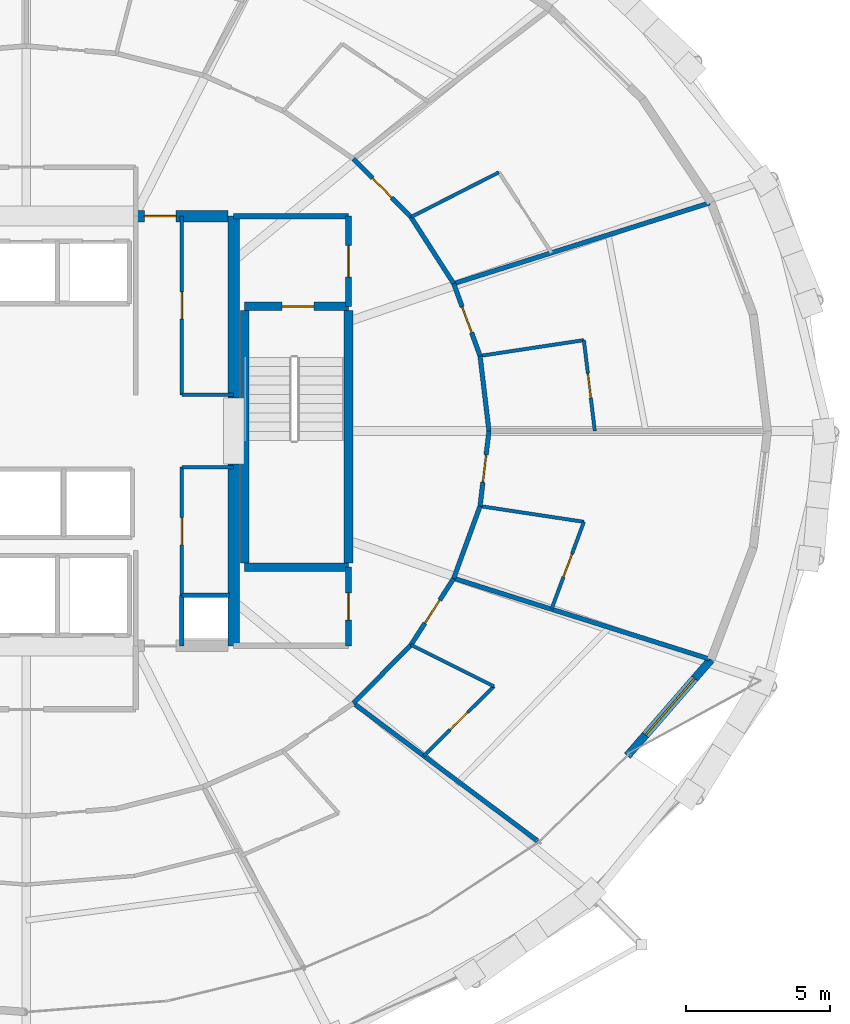
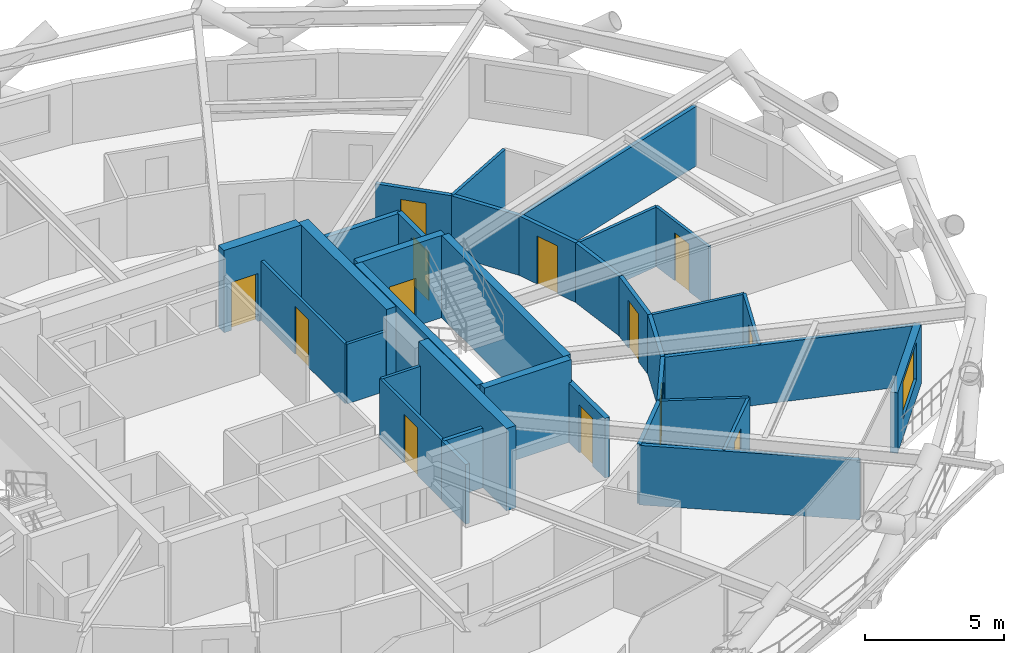
# One storey, part 15 of 19: 35 walls, 13 doors, 1 window, 14 openings.
"""IFC4 building model written with IfcOpenShell, lengths in metres."""

from ifc_helpers import new_model, si_unit, direction, frame, frame_2d, origin, place, context, subcontext, project, spatial, rectangle, extrude, material, layer, layer_set, type_object, element, fill, save


model = new_model("IFC4")

# Units and contexts
model_context = context("Model", 3, precision=1e-05, world=origin(), true_north=direction((0.0, 1.0)))
body_context = subcontext(model_context, "Body", "Model", "MODEL_VIEW")
ifc_project = project(units=[si_unit("LENGTHUNIT", "METRE"), si_unit("AREAUNIT", "SQUARE_METRE"), si_unit("VOLUMEUNIT", "CUBIC_METRE"), si_unit("PLANEANGLEUNIT", "RADIAN"), si_unit("MASSUNIT", "GRAM", prefix="KILO")], contexts=[model_context])

# Site, building, storey
site_placement = place(None, origin())
site = spatial("IfcSite", under=ifc_project, at=site_placement, CompositionType="ELEMENT")
building_placement = place(site_placement, origin())
building = spatial("IfcBuilding", under=site, at=building_placement, Name="Veldorina Hangang Commons", CompositionType="ELEMENT")
storey_placement = place(building_placement, frame((0.0, 0.0, 34.0)))
storey = spatial("IfcBuildingStorey", under=building, at=storey_placement, Name="L07", CompositionType="ELEMENT", Elevation=34.0)

# Walls
ifc_material_1 = material(Name="Concrete C70/85", Category="concrete")
ifc_layer_1 = layer(ifc_material_1, 0.39990234375)
ifc_layer_set_1 = layer_set([ifc_layer_1], Name="Concrete C70/85")
wall_type_1 = type_object("IfcWallType", Name="CW-RC400-C70", PredefinedType="SHEAR", material=ifc_layer_set_1)
for number, where, z_axis, x_axis, name in (
    (1, (39.199951171875, 16.550048828125, 0.0), (0.0, 0.0, 1.0), (0.0, 1.0, 0.0), "L07 E south core shear wall"),
    (2, (39.199951171875, 25.14990234375, 0.0), (0.0, 0.0, 1.0), (0.0, 1.0, 0.0), "L07 E north core shear wall"),
):
    element("IfcWall", number, at=place(storey_placement, frame(where, z_axis=z_axis, x_axis=x_axis)), inside=storey, type_object=wall_type_1, Name=name, PredefinedType="SHEAR", context=body_context, shape_type="SweptSolid", body=[
        extrude(rectangle(XDim=6.300048828125, YDim=0.39990234375, at=frame_2d((3.14990234375, 0.0))), origin(), (0.0, 0.0, 1.0), 3.60009765625),
    ])

# Wall, opening, door
wall_1_placement = place(storey_placement, frame((35.800048828125, 31.449951171875, 0.0), z_axis=(0.0, 0.0, 1.0), x_axis=(1.0, 0.0, 0.0)))
wall_1 = element("IfcWall", 3, at=wall_1_placement, inside=storey, type_object=wall_type_1, Name="L07 north-east core shear wall", PredefinedType="SHEAR", context=body_context, shape_type="SweptSolid", body=[
    extrude(rectangle(XDim=3.199951171875, YDim=0.39990234375, at=frame_2d((1.60009765625, 0.0))), origin(), (0.0, 0.0, 1.0), 3.60009765625),
])
opening_1_placement = place(wall_1_placement, frame((0.300048828125, 0.0, 0.0)))
opening_1 = element("IfcOpeningElement", 4, at=opening_1_placement, cuts=wall_1, Name="Opening D-08", PredefinedType="OPENING", context=body_context, shape_type="SweptSolid", body=[
    extrude(rectangle(XDim=1.10009765625, YDim=2.10009765625, at=frame_2d((0.550048828125, 1.050048828125))), frame((0.0, 0.2099609375, 0.0), z_axis=(0.0, -1.0, 0.0), x_axis=(1.0, 0.0, 0.0)), (0.0, 0.0, 1.0), 0.419921875),
])
ifc_material_2 = material(Name="Steel Fire-Rated Smoke Seal", Category="steel")
door_type_1 = type_object("IfcDoorType", Name="DR-FIRE-1100", OperationType="SINGLE_SWING_RIGHT", PredefinedType="DOOR", material=ifc_material_2)
door_1_placement = place(opening_1_placement, origin())
door_1 = element("IfcDoor", 5, at=door_1_placement, inside=storey, type_object=door_type_1, Name="L07 central lift lobby north corridor door", OperationType="SINGLE_SWING_LEFT", OverallHeight=2.10009765625, OverallWidth=1.10009765625, PredefinedType="DOOR", context=body_context, shape_type="SweptSolid", body=[
    extrude(rectangle(XDim=1.10009765625, YDim=2.10009765625, at=frame_2d((0.550048828125, 1.050048828125))), frame((0.0, 0.02490234375, 0.0), z_axis=(0.0, -1.0, 0.0), x_axis=(1.0, 0.0, 0.0)), (0.0, 0.0, 1.0), 0.050048828125),
])
fill(opening_1, door_1)

# Wall, opening, window
ifc_material_3 = material(Name="Stone Roman Travertine", Category="masonry")
ifc_layer_2 = layer(ifc_material_3, 0.280029296875)
ifc_layer_set_2 = layer_set([ifc_layer_2], Name="Stone Roman Travertine")
wall_type_2 = type_object("IfcWallType", Name="EW-TRAV-280", PredefinedType="STANDARD", material=ifc_layer_set_2)
wall_2_placement = place(storey_placement, frame((52.849365234375, 12.737060546875, 0.0), z_axis=(0.0, 0.0, 1.0), x_axis=(0.656007880753, 0.754754039665, 0.0)))
wall_2 = element("IfcWall", 6, at=wall_2_placement, inside=storey, type_object=wall_type_2, Name="L07 travertine facade wall 29", PredefinedType="STANDARD", context=body_context, shape_type="SweptSolid", body=[
    extrude(rectangle(XDim=4.423095703125, YDim=0.280029296875, at=frame_2d((2.21142578125, 0.0))), origin(), (0.0, 0.0, 1.0), 2.64990234375),
])
opening_2_placement = place(wall_2_placement, frame((0.95751953125, 0.0, 0.800048828125)))
opening_2 = element("IfcOpeningElement", 7, at=opening_2_placement, cuts=wall_2, Name="Opening W-02", PredefinedType="OPENING", context=body_context, shape_type="SweptSolid", body=[
    extrude(rectangle(XDim=2.60009765625, YDim=1.64990234375, at=frame_2d((1.300048828125, 0.824951171875))), frame((0.0, 0.14990234375, 0.0), z_axis=(0.0, -1.0, 0.0), x_axis=(1.0, 0.0, 0.0)), (0.0, 0.0, 1.0), 0.300048828125),
])
ifc_material_4 = material(Name="Glass Low-E Triple IGU", Category="glass")
window_type = type_object("IfcWindowType", Name="WIN-TWR-2600", PartitioningType="SINGLE_PANEL", PredefinedType="WINDOW", material=ifc_material_4)
window_placement = place(opening_2_placement, origin())
window = element("IfcWindow", 8, at=window_placement, inside=storey, type_object=window_type, Name="L07 facade window 29", OverallHeight=1.64990234375, OverallWidth=2.60009765625, PartitioningType="SINGLE_PANEL", PredefinedType="WINDOW", context=body_context, shape_type="SweptSolid", body=[
    extrude(rectangle(XDim=2.60009765625, YDim=1.64990234375, at=frame_2d((1.300048828125, 0.824951171875))), frame((0.0, 0.030029296875, 0.0), z_axis=(0.0, -1.0, 0.0), x_axis=(1.0, 0.0, 0.0)), (0.0, 0.0, 1.0), 0.06005859375),
])
fill(opening_2, window)

# Walls
ifc_material_5 = material(Name="Concrete C50/60", Category="concrete")
ifc_layer_3 = layer(ifc_material_5, 0.300048828125)
ifc_layer_set_3 = layer_set([ifc_layer_3], Name="Concrete C50/60")
wall_type_3 = type_object("IfcWallType", Name="SW-STAIR-300", PredefinedType="SHEAR", material=ifc_layer_set_3)
for number, where, z_axis, x_axis, name in (
    (9, (43.179931640625, 19.429931640625, 0.0), (0.0, 0.0, 1.0), (0.0, 1.0, 0.0), "L07 ST2 outer stair shear wall"),
    (10, (39.580078125, 19.429931640625, 0.0), (0.0, 0.0, 1.0), (0.0, 1.0, 0.0), "L07 ST2 inner stair shear wall"),
):
    element("IfcWall", number, at=place(storey_placement, frame(where, z_axis=z_axis, x_axis=x_axis)), inside=storey, type_object=wall_type_3, Name=name, PredefinedType="SHEAR", context=body_context, shape_type="SweptSolid", body=[
        extrude(rectangle(XDim=8.739990234375, YDim=0.300048828125, at=frame_2d((4.3701171875, 0.0))), origin(), (0.0, 0.0, 1.0), 3.60009765625),
    ])
wall_3_placement = place(storey_placement, frame((39.580078125, 19.280029296875, 0.0), z_axis=(0.0, 0.0, 1.0), x_axis=(1.0, 0.0, 0.0)))
element("IfcWall", 11, at=wall_3_placement, inside=storey, type_object=wall_type_3, Name="L07 ST2 south stair shear wall", PredefinedType="SHEAR", context=body_context, shape_type="SweptSolid", body=[
    extrude(rectangle(XDim=3.599853515625, YDim=0.300048828125, at=frame_2d((1.7998046875, 0.0))), origin(), (0.0, 0.0, 1.0), 3.60009765625),
])

# Wall, opening, door
wall_4_placement = place(storey_placement, frame((39.580078125, 28.320068359375, 0.0), z_axis=(0.0, 0.0, 1.0), x_axis=(1.0, 0.0, 0.0)))
wall_4 = element("IfcWall", 12, at=wall_4_placement, inside=storey, type_object=wall_type_3, Name="L07 ST2 north stair shear wall", PredefinedType="SHEAR", context=body_context, shape_type="SweptSolid", body=[
    extrude(rectangle(XDim=3.599853515625, YDim=0.300048828125, at=frame_2d((1.7998046875, 0.0))), origin(), (0.0, 0.0, 1.0), 3.60009765625),
])
opening_3_placement = place(wall_4_placement, frame((1.300048828125, 0.0, 0.0)))
opening_3 = element("IfcOpeningElement", 13, at=opening_3_placement, cuts=wall_4, Name="Opening D-08", PredefinedType="OPENING", context=body_context, shape_type="SweptSolid", body=[
    extrude(rectangle(XDim=1.10009765625, YDim=2.10009765625, at=frame_2d((0.550048828125, 1.050048828125))), frame((0.0, 0.16015625, 0.0), z_axis=(0.0, -1.0, 0.0), x_axis=(1.0, 0.0, 0.0)), (0.0, 0.0, 1.0), 0.320068359375),
])
door_2_placement = place(opening_3_placement, origin())
door_2 = element("IfcDoor", 14, at=door_2_placement, inside=storey, type_object=door_type_1, Name="L07 Special Escape Stair ST-2 door", OperationType="SINGLE_SWING_RIGHT", OverallHeight=2.10009765625, OverallWidth=1.10009765625, PredefinedType="DOOR", context=body_context, shape_type="SweptSolid", body=[
    extrude(rectangle(XDim=1.10009765625, YDim=2.10009765625, at=frame_2d((0.550048828125, 1.050048828125))), frame((0.0, 0.02490234375, 0.0), z_axis=(0.0, -1.0, 0.0), x_axis=(1.0, 0.0, 0.0)), (0.0, 0.0, 1.0), 0.050048828125),
])
fill(opening_3, door_2)

# Walls
ifc_material_6 = material(Name="Gypsum Fire-Rated Twin Stud Wall", Category="gypsum")
ifc_layer_4 = layer(ifc_material_6, 0.159912109375)
ifc_layer_set_4 = layer_set([ifc_layer_4], Name="Gypsum Fire-Rated Twin Stud Wall")
wall_type_4 = type_object("IfcWallType", Name="WL-FIRE-160", PredefinedType="SOLIDWALL", material=ifc_layer_set_4)
wall_5_placement = place(storey_placement, frame((37.39990234375, 16.550048828125, 0.0), z_axis=(0.0, 0.0, 1.0), x_axis=(0.0, 1.0, 0.0)))
element("IfcWall", 15, at=wall_5_placement, inside=storey, type_object=wall_type_4, Name="L07 Lift passage SE stub 010", PredefinedType="SOLIDWALL", context=body_context, shape_type="SweptSolid", body=[
    extrude(rectangle(XDim=1.75, YDim=0.159912109375, at=frame_2d((0.875, 0.0))), origin(), (0.0, 0.0, 1.0), 2.610107421875),
])
wall_6_placement = place(storey_placement, frame((37.39990234375, 18.300048828125, 0.0), z_axis=(0.0, 0.0, 1.0), x_axis=(1.0, 0.0, 0.0)))
element("IfcWall", 16, at=wall_6_placement, inside=storey, type_object=wall_type_4, Name="L07 Plumbing riser wall 037", PredefinedType="SOLIDWALL", context=body_context, shape_type="SweptSolid", body=[
    extrude(rectangle(XDim=1.650146484375, YDim=0.159912109375, at=frame_2d((0.8251953125, 0.0))), origin(), (0.0, 0.0, 1.0), 2.610107421875),
])
wall_7_placement = place(storey_placement, frame((48.050048828125, 24.0, 0.0), z_axis=(0.0, 0.0, 1.0), x_axis=(-0.117570353762, 0.993064555765, 0.0)))
element("IfcWall", 17, at=wall_7_placement, inside=storey, type_object=wall_type_4, Name="L07 Corridor outer wall 00 048", PredefinedType="SOLIDWALL", context=body_context, shape_type="SweptSolid", body=[
    extrude(rectangle(XDim=2.622802734375, YDim=0.159912109375, at=frame_2d((1.3115234375, 0.0))), origin(), (0.0, 0.0, 1.0), 2.610107421875),
])

# Wall, opening, door
wall_8_placement = place(storey_placement, frame((47.74169921875, 26.6044921875, 0.0), z_axis=(0.0, 0.0, 1.0), x_axis=(-0.342617982381, 0.939474809747, 0.0)))
wall_8 = element("IfcWall", 18, at=wall_8_placement, inside=storey, type_object=wall_type_4, Name="L07 Corridor outer wall 01 049", PredefinedType="SOLIDWALL", context=body_context, shape_type="SweptSolid", body=[
    extrude(rectangle(XDim=2.665771484375, YDim=0.159912109375, at=frame_2d((1.3330078125, 0.0))), origin(), (0.0, 0.0, 1.0), 2.610107421875),
])
opening_4_placement = place(wall_8_placement, frame((0.85791015625, 0.0, 0.0)))
opening_4 = element("IfcOpeningElement", 19, at=opening_4_placement, cuts=wall_8, Name="Opening D-03", PredefinedType="OPENING", context=body_context, shape_type="SweptSolid", body=[
    extrude(rectangle(XDim=0.949951171875, YDim=2.10009765625, at=frame_2d((0.47509765625, 1.050048828125))), frame((0.0, 0.08984375, 0.0), z_axis=(0.0, -1.0, 0.0), x_axis=(1.0, 0.0, 0.0)), (0.0, 0.0, 1.0), 0.179931640625),
])
ifc_material_7 = material(Name="Timber Fire-Rated Entrance Core", Category="wood")
door_type_2 = type_object("IfcDoorType", Name="DR-UNIT-950", OperationType="SINGLE_SWING_RIGHT", PredefinedType="DOOR", material=ifc_material_7)
door_3_placement = place(opening_4_placement, origin())
door_3 = element("IfcDoor", 20, at=door_3_placement, inside=storey, type_object=door_type_2, Name="L07 Studio 5 entrance door 029", OperationType="SINGLE_SWING_LEFT", OverallHeight=2.10009765625, OverallWidth=0.949951171875, PredefinedType="DOOR", context=body_context, shape_type="SweptSolid", body=[
    extrude(rectangle(XDim=0.949951171875, YDim=2.10009765625, at=frame_2d((0.47509765625, 1.050048828125))), frame((0.0, 0.02490234375, 0.0), z_axis=(0.0, -1.0, 0.0), x_axis=(1.0, 0.0, 0.0)), (0.0, 0.0, 1.0), 0.050048828125),
])
fill(opening_4, door_3)

# Wall
wall_9_placement = place(storey_placement, frame((46.828369140625, 29.10888671875, 0.0), z_axis=(0.0, 0.0, 1.0), x_axis=(-0.540595670038, 0.841282545603, 0.0)))
element("IfcWall", 21, at=wall_9_placement, inside=storey, type_object=wall_type_4, Name="L07 Corridor outer wall 02 050", PredefinedType="SOLIDWALL", context=body_context, shape_type="SweptSolid", body=[
    extrude(rectangle(XDim=2.74365234375, YDim=0.159912109375, at=frame_2d((1.371826171875, 0.0))), origin(), (0.0, 0.0, 1.0), 2.610107421875),
])

# Wall, opening, door
wall_10_placement = place(storey_placement, frame((45.34521484375, 31.4169921875, 0.0), z_axis=(0.0, 0.0, 1.0), x_axis=(-0.702366174226, 0.711815816981, 0.0)))
wall_10 = element("IfcWall", 22, at=wall_10_placement, inside=storey, type_object=wall_type_4, Name="L07 Corridor outer wall 03 051", PredefinedType="SOLIDWALL", context=body_context, shape_type="SweptSolid", body=[
    extrude(rectangle(XDim=2.842041015625, YDim=0.159912109375, at=frame_2d((1.4208984375, 0.0))), origin(), (0.0, 0.0, 1.0), 2.610107421875),
])
opening_5_placement = place(wall_10_placement, frame((0.94580078125, 0.0, 0.0)))
opening_5 = element("IfcOpeningElement", 23, at=opening_5_placement, cuts=wall_10, Name="Opening D-03", PredefinedType="OPENING", context=body_context, shape_type="SweptSolid", body=[
    extrude(rectangle(XDim=0.949951171875, YDim=2.10009765625, at=frame_2d((0.47509765625, 1.050048828125))), frame((0.0, 0.08984375, 0.0), z_axis=(0.0, -1.0, 0.0), x_axis=(1.0, 0.0, 0.0)), (0.0, 0.0, 1.0), 0.179931640625),
])
door_4_placement = place(opening_5_placement, origin())
door_4 = element("IfcDoor", 24, at=door_4_placement, inside=storey, type_object=door_type_2, Name="L07 Studio 6 entrance door 031", OperationType="SINGLE_SWING_LEFT", OverallHeight=2.10009765625, OverallWidth=0.949951171875, PredefinedType="DOOR", context=body_context, shape_type="SweptSolid", body=[
    extrude(rectangle(XDim=0.949951171875, YDim=2.10009765625, at=frame_2d((0.47509765625, 1.050048828125))), frame((0.0, 0.02490234375, 0.0), z_axis=(0.0, -1.0, 0.0), x_axis=(1.0, 0.0, 0.0)), (0.0, 0.0, 1.0), 0.050048828125),
])
fill(opening_5, door_4)

# Wall
wall_11_placement = place(storey_placement, frame((43.34912109375, 14.56005859375, 0.0), z_axis=(0.0, 0.0, 1.0), x_axis=(0.702366174226, 0.711815816981, 0.0)))
element("IfcWall", 25, at=wall_11_placement, inside=storey, type_object=wall_type_4, Name="L07 Corridor outer wall 28 076", PredefinedType="SOLIDWALL", context=body_context, shape_type="SweptSolid", body=[
    extrude(rectangle(XDim=2.842041015625, YDim=0.159912109375, at=frame_2d((1.4208984375, 0.0))), origin(), (0.0, 0.0, 1.0), 2.610107421875),
])

# Wall, opening, door
wall_12_placement = place(storey_placement, frame((45.34521484375, 16.5830078125, 0.0), z_axis=(0.0, 0.0, 1.0), x_axis=(0.540595670038, 0.841282545603, 0.0)))
wall_12 = element("IfcWall", 26, at=wall_12_placement, inside=storey, type_object=wall_type_4, Name="L07 Corridor outer wall 29 077", PredefinedType="SOLIDWALL", context=body_context, shape_type="SweptSolid", body=[
    extrude(rectangle(XDim=2.74365234375, YDim=0.159912109375, at=frame_2d((1.371826171875, 0.0))), origin(), (0.0, 0.0, 1.0), 2.610107421875),
])
opening_6_placement = place(wall_12_placement, frame((0.896728515625, 0.0, 0.0)))
opening_6 = element("IfcOpeningElement", 27, at=opening_6_placement, cuts=wall_12, Name="Opening D-03", PredefinedType="OPENING", context=body_context, shape_type="SweptSolid", body=[
    extrude(rectangle(XDim=0.949951171875, YDim=2.10009765625, at=frame_2d((0.47509765625, 1.050048828125))), frame((0.0, 0.08984375, 0.0), z_axis=(0.0, -1.0, 0.0), x_axis=(1.0, 0.0, 0.0)), (0.0, 0.0, 1.0), 0.179931640625),
])
door_5_placement = place(opening_6_placement, origin())
door_5 = element("IfcDoor", 28, at=door_5_placement, inside=storey, type_object=door_type_2, Name="L07 Studio 3 entrance door 025", OperationType="SINGLE_SWING_LEFT", OverallHeight=2.10009765625, OverallWidth=0.949951171875, PredefinedType="DOOR", context=body_context, shape_type="SweptSolid", body=[
    extrude(rectangle(XDim=0.949951171875, YDim=2.10009765625, at=frame_2d((0.47509765625, 1.050048828125))), frame((0.0, 0.02490234375, 0.0), z_axis=(0.0, -1.0, 0.0), x_axis=(1.0, 0.0, 0.0)), (0.0, 0.0, 1.0), 0.050048828125),
])
fill(opening_6, door_5)

# Wall
wall_13_placement = place(storey_placement, frame((46.828369140625, 18.89111328125, 0.0), z_axis=(0.0, 0.0, 1.0), x_axis=(0.342617982381, 0.939474809747, 0.0)))
element("IfcWall", 29, at=wall_13_placement, inside=storey, type_object=wall_type_4, Name="L07 Corridor outer wall 30 078", PredefinedType="SOLIDWALL", context=body_context, shape_type="SweptSolid", body=[
    extrude(rectangle(XDim=2.665771484375, YDim=0.159912109375, at=frame_2d((1.3330078125, 0.0))), origin(), (0.0, 0.0, 1.0), 2.610107421875),
])

# Wall, opening, door
wall_14_placement = place(storey_placement, frame((47.74169921875, 21.3955078125, 0.0), z_axis=(0.0, 0.0, 1.0), x_axis=(0.117570353762, 0.993064555765, 0.0)))
wall_14 = element("IfcWall", 30, at=wall_14_placement, inside=storey, type_object=wall_type_4, Name="L07 Corridor outer wall 31 079", PredefinedType="SOLIDWALL", context=body_context, shape_type="SweptSolid", body=[
    extrude(rectangle(XDim=2.622802734375, YDim=0.159912109375, at=frame_2d((1.3115234375, 0.0))), origin(), (0.0, 0.0, 1.0), 2.610107421875),
])
opening_7_placement = place(wall_14_placement, frame((0.83642578125, 0.0, 0.0)))
opening_7 = element("IfcOpeningElement", 31, at=opening_7_placement, cuts=wall_14, Name="Opening D-03", PredefinedType="OPENING", context=body_context, shape_type="SweptSolid", body=[
    extrude(rectangle(XDim=0.949951171875, YDim=2.10009765625, at=frame_2d((0.47509765625, 1.050048828125))), frame((0.0, 0.08984375, 0.0), z_axis=(0.0, -1.0, 0.0), x_axis=(1.0, 0.0, 0.0)), (0.0, 0.0, 1.0), 0.179931640625),
])
door_6_placement = place(opening_7_placement, origin())
door_6 = element("IfcDoor", 32, at=door_6_placement, inside=storey, type_object=door_type_2, Name="L07 Studio 4 entrance door 027", OperationType="SINGLE_SWING_LEFT", OverallHeight=2.10009765625, OverallWidth=0.949951171875, PredefinedType="DOOR", context=body_context, shape_type="SweptSolid", body=[
    extrude(rectangle(XDim=0.949951171875, YDim=2.10009765625, at=frame_2d((0.47509765625, 1.050048828125))), frame((0.0, 0.02490234375, 0.0), z_axis=(0.0, -1.0, 0.0), x_axis=(1.0, 0.0, 0.0)), (0.0, 0.0, 1.0), 0.050048828125),
])
fill(opening_7, door_6)

# Walls
wall_15_placement = place(storey_placement, frame((43.34912109375, 14.56005859375, 0.0), z_axis=(0.0, 0.0, 1.0), x_axis=(0.801077985927, -0.598559989026, 0.0)))
element("IfcWall", 33, at=wall_15_placement, inside=storey, type_object=wall_type_4, Name="L07 Unit party wall 28 088", PredefinedType="SOLIDWALL", context=body_context, shape_type="SweptSolid", body=[
    extrude(rectangle(XDim=7.98046875, YDim=0.159912109375, at=frame_2d((3.990234375, 0.0))), origin(), (0.0, 0.0, 1.0), 2.610107421875),
])
for number, where, z_axis, x_axis, name in (
    (34, (46.828369140625, 18.89111328125, 0.0), (0.0, 0.0, 1.0), (0.953639740523, -0.300950569522, 0.0), "L07 Unit party wall 30 091"),
    (35, (46.828369140625, 29.10888671875, 0.0), (0.0, 0.0, 1.0), (0.953639740523, 0.300950569522, 0.0), "L07 Unit party wall 02 097"),
):
    element("IfcWall", number, at=place(storey_placement, frame(where, z_axis=z_axis, x_axis=x_axis)), inside=storey, type_object=wall_type_4, Name=name, PredefinedType="SOLIDWALL", context=body_context, shape_type="SweptSolid", body=[
        extrude(rectangle(XDim=9.306396484375, YDim=0.159912109375, at=frame_2d((4.6533203125, 0.0))), origin(), (0.0, 0.0, 1.0), 2.610107421875),
    ])

# Wall, opening, door
ifc_material_8 = material(Name="Concrete Blockwork Fire Wall C30/37", Category="masonry")
ifc_layer_5 = layer(ifc_material_8, 0.199951171875)
ifc_layer_set_5 = layer_set([ifc_layer_5], Name="Concrete Blockwork Fire Wall C30/37")
wall_type_5 = type_object("IfcWallType", Name="WL-FIRE-200", PredefinedType="SOLIDWALL", material=ifc_layer_set_5)
wall_16_placement = place(storey_placement, frame((43.179931640625, 28.320068359375, 0.0), z_axis=(0.0, 0.0, 1.0), x_axis=(0.0, 1.0, 0.0)))
wall_16 = element("IfcWall", 36, at=wall_16_placement, inside=storey, type_object=wall_type_5, Name="L07 East vestibule outer wall 003", PredefinedType="SOLIDWALL", context=body_context, shape_type="SweptSolid", body=[
    extrude(rectangle(XDim=3.1298828125, YDim=0.199951171875, at=frame_2d((1.56494140625, 0.0))), origin(), (0.0, 0.0, 1.0), 2.610107421875),
])
opening_8_placement = place(wall_16_placement, frame((1.014892578125, 0.0, 0.0)))
opening_8 = element("IfcOpeningElement", 37, at=opening_8_placement, cuts=wall_16, Name="Opening D-08", PredefinedType="OPENING", context=body_context, shape_type="SweptSolid", body=[
    extrude(rectangle(XDim=1.10009765625, YDim=2.10009765625, at=frame_2d((0.550048828125, 1.050048828125))), frame((0.0, 0.10986328125, 0.0), z_axis=(0.0, -1.0, 0.0), x_axis=(1.0, 0.0, 0.0)), (0.0, 0.0, 1.0), 0.219970703125),
])
door_7_placement = place(opening_8_placement, origin())
door_7 = element("IfcDoor", 38, at=door_7_placement, inside=storey, type_object=door_type_1, Name="L07 East vestibule east door 002", OperationType="SINGLE_SWING_RIGHT", OverallHeight=2.10009765625, OverallWidth=1.10009765625, PredefinedType="DOOR", context=body_context, shape_type="SweptSolid", body=[
    extrude(rectangle(XDim=1.10009765625, YDim=2.10009765625, at=frame_2d((0.550048828125, 1.050048828125))), frame((0.0, 0.02490234375, 0.0), z_axis=(0.0, -1.0, 0.0), x_axis=(1.0, 0.0, 0.0)), (0.0, 0.0, 1.0), 0.050048828125),
])
fill(opening_8, door_7)

# Wall
wall_17_placement = place(storey_placement, frame((39.199951171875, 31.449951171875, 0.0), z_axis=(0.0, 0.0, 1.0), x_axis=(1.0, 0.0, 0.0)))
element("IfcWall", 39, at=wall_17_placement, inside=storey, type_object=wall_type_5, Name="L07 East vestibule north wall 004", PredefinedType="SOLIDWALL", context=body_context, shape_type="SweptSolid", body=[
    extrude(rectangle(XDim=3.97998046875, YDim=0.199951171875, at=frame_2d((1.989990234375, 0.0))), origin(), (0.0, 0.0, 1.0), 2.610107421875),
])

# Wall, opening, door
wall_18_placement = place(storey_placement, frame((43.179931640625, 16.550048828125, 0.0), z_axis=(0.0, 0.0, 1.0), x_axis=(0.0, 1.0, 0.0)))
wall_18 = element("IfcWall", 40, at=wall_18_placement, inside=storey, type_object=wall_type_5, Name="L07 SE core room outer wall 007", PredefinedType="SOLIDWALL", context=body_context, shape_type="SweptSolid", body=[
    extrude(rectangle(XDim=2.72998046875, YDim=0.199951171875, at=frame_2d((1.364990234375, 0.0))), origin(), (0.0, 0.0, 1.0), 2.610107421875),
])
opening_9_placement = place(wall_18_placement, frame((0.889892578125, 0.0, 0.0)))
opening_9 = element("IfcOpeningElement", 41, at=opening_9_placement, cuts=wall_18, Name="Opening D-02", PredefinedType="OPENING", context=body_context, shape_type="SweptSolid", body=[
    extrude(rectangle(XDim=0.949951171875, YDim=2.10009765625, at=frame_2d((0.47509765625, 1.050048828125))), frame((0.0, 0.10986328125, 0.0), z_axis=(0.0, -1.0, 0.0), x_axis=(1.0, 0.0, 0.0)), (0.0, 0.0, 1.0), 0.219970703125),
])
ifc_material_9 = material(Name="Timber Solid Core Acoustic", Category="wood")
door_type_3 = type_object("IfcDoorType", Name="DR-INT-950", OperationType="SINGLE_SWING_LEFT", PredefinedType="DOOR", material=ifc_material_9)
door_8_placement = place(opening_9_placement, origin())
door_8 = element("IfcDoor", 42, at=door_8_placement, inside=storey, type_object=door_type_3, Name="L07 SE core WC door 004", OperationType="SINGLE_SWING_RIGHT", OverallHeight=2.10009765625, OverallWidth=0.949951171875, PredefinedType="DOOR", context=body_context, shape_type="SweptSolid", body=[
    extrude(rectangle(XDim=0.949951171875, YDim=2.10009765625, at=frame_2d((0.47509765625, 1.050048828125))), frame((0.0, 0.02490234375, 0.0), z_axis=(0.0, -1.0, 0.0), x_axis=(1.0, 0.0, 0.0)), (0.0, 0.0, 1.0), 0.050048828125),
])
fill(opening_9, door_8)

ifc_material_10 = material(Name="Gypsum Acoustic Stud Partition", Category="gypsum")
ifc_layer_6 = layer(ifc_material_10, 0.1201171875)
ifc_layer_set_6 = layer_set([ifc_layer_6], Name="Gypsum Acoustic Stud Partition")
wall_type_6 = type_object("IfcWallType", Name="WL-PART-120", PredefinedType="PARTITIONING", material=ifc_layer_set_6)
wall_19_placement = place(storey_placement, frame((37.39990234375, 25.25, 0.0), z_axis=(0.0, 0.0, 1.0), x_axis=(0.0, 1.0, 0.0)))
wall_19 = element("IfcWall", 43, at=wall_19_placement, inside=storey, type_object=wall_type_6, Name="L07 NE strip lobby wall 041", PredefinedType="PARTITIONING", context=body_context, shape_type="SweptSolid", body=[
    extrude(rectangle(XDim=6.199951171875, YDim=0.1201171875, at=frame_2d((3.10009765625, 0.0))), origin(), (0.0, 0.0, 1.0), 2.610107421875),
])
opening_10_placement = place(wall_19_placement, frame((2.625, 0.0, 0.0)))
opening_10 = element("IfcOpeningElement", 44, at=opening_10_placement, cuts=wall_19, Name="Opening D-02", PredefinedType="OPENING", context=body_context, shape_type="SweptSolid", body=[
    extrude(rectangle(XDim=0.949951171875, YDim=2.10009765625, at=frame_2d((0.47509765625, 1.050048828125))), frame((0.0, 0.070068359375, 0.0), z_axis=(0.0, -1.0, 0.0), x_axis=(1.0, 0.0, 0.0)), (0.0, 0.0, 1.0), 0.14013671875),
])
door_9_placement = place(opening_10_placement, origin())
door_9 = element("IfcDoor", 45, at=door_9_placement, inside=storey, type_object=door_type_3, Name="L07 Switchboard door 018", OperationType="SINGLE_SWING_RIGHT", OverallHeight=2.10009765625, OverallWidth=0.949951171875, PredefinedType="DOOR", context=body_context, shape_type="SweptSolid", body=[
    extrude(rectangle(XDim=0.949951171875, YDim=2.10009765625, at=frame_2d((0.47509765625, 1.050048828125))), frame((0.0, 0.02490234375, 0.0), z_axis=(0.0, -1.0, 0.0), x_axis=(1.0, 0.0, 0.0)), (0.0, 0.0, 1.0), 0.050048828125),
])
fill(opening_10, door_9)

# Wall
wall_20_placement = place(storey_placement, frame((37.39990234375, 25.25, 0.0), z_axis=(0.0, 0.0, 1.0), x_axis=(1.0, 0.0, 0.0)))
element("IfcWall", 46, at=wall_20_placement, inside=storey, type_object=wall_type_6, Name="L07 NE strip south return wall 042", PredefinedType="PARTITIONING", context=body_context, shape_type="SweptSolid", body=[
    extrude(rectangle(XDim=1.800048828125, YDim=0.1201171875, at=frame_2d((0.89990234375, 0.0))), origin(), (0.0, 0.0, 1.0), 2.610107421875),
])

# Wall, opening, door
wall_21_placement = place(storey_placement, frame((37.39990234375, 18.300048828125, 0.0), z_axis=(0.0, 0.0, 1.0), x_axis=(0.0, 1.0, 0.0)))
wall_21 = element("IfcWall", 47, at=wall_21_placement, inside=storey, type_object=wall_type_6, Name="L07 SE strip lobby wall 043", PredefinedType="PARTITIONING", context=body_context, shape_type="SweptSolid", body=[
    extrude(rectangle(XDim=4.449951171875, YDim=0.1201171875, at=frame_2d((2.22509765625, 0.0))), origin(), (0.0, 0.0, 1.0), 2.610107421875),
])
opening_11_placement = place(wall_21_placement, frame((1.75, 0.0, 0.0)))
opening_11 = element("IfcOpeningElement", 48, at=opening_11_placement, cuts=wall_21, Name="Opening D-02", PredefinedType="OPENING", context=body_context, shape_type="SweptSolid", body=[
    extrude(rectangle(XDim=0.949951171875, YDim=2.10009765625, at=frame_2d((0.47509765625, 1.050048828125))), frame((0.0, 0.070068359375, 0.0), z_axis=(0.0, -1.0, 0.0), x_axis=(1.0, 0.0, 0.0)), (0.0, 0.0, 1.0), 0.14013671875),
])
door_10_placement = place(opening_11_placement, origin())
door_10 = element("IfcDoor", 49, at=door_10_placement, inside=storey, type_object=door_type_3, Name="L07 Telemetry door 019", OperationType="SINGLE_SWING_LEFT", OverallHeight=2.10009765625, OverallWidth=0.949951171875, PredefinedType="DOOR", context=body_context, shape_type="SweptSolid", body=[
    extrude(rectangle(XDim=0.949951171875, YDim=2.10009765625, at=frame_2d((0.47509765625, 1.050048828125))), frame((0.0, 0.02490234375, 0.0), z_axis=(0.0, -1.0, 0.0), x_axis=(1.0, 0.0, 0.0)), (0.0, 0.0, 1.0), 0.050048828125),
])
fill(opening_11, door_10)

# Wall
wall_22_placement = place(storey_placement, frame((37.39990234375, 22.75, 0.0), z_axis=(0.0, 0.0, 1.0), x_axis=(1.0, 0.0, 0.0)))
element("IfcWall", 50, at=wall_22_placement, inside=storey, type_object=wall_type_6, Name="L07 SE strip north return wall 044", PredefinedType="PARTITIONING", context=body_context, shape_type="SweptSolid", body=[
    extrude(rectangle(XDim=1.800048828125, YDim=0.1201171875, at=frame_2d((0.89990234375, 0.0))), origin(), (0.0, 0.0, 1.0), 2.610107421875),
])

# Wall, opening, door
wall_23_placement = place(storey_placement, frame((45.793701171875, 12.7333984375, 0.0), z_axis=(0.0, 0.0, 1.0), x_axis=(0.70874549249, 0.705464263358, 0.0)))
wall_23 = element("IfcWall", 51, at=wall_23_placement, inside=storey, type_object=wall_type_6, Name="L07 Studio 3 bath front wall 089", PredefinedType="PARTITIONING", context=body_context, shape_type="SweptSolid", body=[
    extrude(rectangle(XDim=3.422607421875, YDim=0.1201171875, at=frame_2d((1.71142578125, 0.0))), origin(), (0.0, 0.0, 1.0), 2.610107421875),
])
opening_12_placement = place(wall_23_placement, frame((1.28125, 0.0, 0.0)))
opening_12 = element("IfcOpeningElement", 52, at=opening_12_placement, cuts=wall_23, Name="Opening D-01", PredefinedType="OPENING", context=body_context, shape_type="SweptSolid", body=[
    extrude(rectangle(XDim=0.860107421875, YDim=2.10009765625, at=frame_2d((0.43017578125, 1.050048828125))), frame((0.0, 0.070068359375, 0.0), z_axis=(0.0, -1.0, 0.0), x_axis=(1.0, 0.0, 0.0)), (0.0, 0.0, 1.0), 0.14013671875),
])
ifc_material_11 = material(Name="Timber Moisture-Resistant Core", Category="wood")
door_type_4 = type_object("IfcDoorType", Name="DR-WET-860", OperationType="SINGLE_SWING_LEFT", PredefinedType="DOOR", material=ifc_material_11)
door_11_placement = place(opening_12_placement, origin())
door_11 = element("IfcDoor", 53, at=door_11_placement, inside=storey, type_object=door_type_4, Name="L07 Studio 3 bathroom door 024", OperationType="SINGLE_SWING_RIGHT", OverallHeight=2.10009765625, OverallWidth=0.860107421875, PredefinedType="DOOR", context=body_context, shape_type="SweptSolid", body=[
    extrude(rectangle(XDim=0.860107421875, YDim=2.10009765625, at=frame_2d((0.43017578125, 1.050048828125))), frame((0.0, 0.02490234375, 0.0), z_axis=(0.0, -1.0, 0.0), x_axis=(1.0, 0.0, 0.0)), (0.0, 0.0, 1.0), 0.050048828125),
])
fill(opening_12, door_11)

# Wall
wall_24_placement = place(storey_placement, frame((45.34521484375, 16.5830078125, 0.0), z_axis=(0.0, 0.0, 1.0), x_axis=(0.894685423645, -0.446696757002, 0.0)))
element("IfcWall", 54, at=wall_24_placement, inside=storey, type_object=wall_type_6, Name="L07 Studio 3 bath side wall 090", PredefinedType="PARTITIONING", context=body_context, shape_type="SweptSolid", body=[
    extrude(rectangle(XDim=3.212646484375, YDim=0.1201171875, at=frame_2d((1.6064453125, 0.0))), origin(), (0.0, 0.0, 1.0), 2.610107421875),
])

# Wall, opening, door
wall_25_placement = place(storey_placement, frame((50.218994140625, 17.8212890625, 0.0), z_axis=(0.0, 0.0, 1.0), x_axis=(0.347393131776, 0.937719580682, 0.0)))
wall_25 = element("IfcWall", 55, at=wall_25_placement, inside=storey, type_object=wall_type_6, Name="L07 Studio 4 bath front wall 092", PredefinedType="PARTITIONING", context=body_context, shape_type="SweptSolid", body=[
    extrude(rectangle(XDim=3.22998046875, YDim=0.1201171875, at=frame_2d((1.614990234375, 0.0))), origin(), (0.0, 0.0, 1.0), 2.610107421875),
])
opening_13_placement = place(wall_25_placement, frame((1.18505859375, 0.0, 0.0)))
opening_13 = element("IfcOpeningElement", 56, at=opening_13_placement, cuts=wall_25, Name="Opening D-01", PredefinedType="OPENING", context=body_context, shape_type="SweptSolid", body=[
    extrude(rectangle(XDim=0.860107421875, YDim=2.10009765625, at=frame_2d((0.43017578125, 1.050048828125))), frame((0.0, 0.070068359375, 0.0), z_axis=(0.0, -1.0, 0.0), x_axis=(1.0, 0.0, 0.0)), (0.0, 0.0, 1.0), 0.14013671875),
])
door_12_placement = place(opening_13_placement, origin())
door_12 = element("IfcDoor", 57, at=door_12_placement, inside=storey, type_object=door_type_4, Name="L07 Studio 4 bathroom door 026", OperationType="SINGLE_SWING_RIGHT", OverallHeight=2.10009765625, OverallWidth=0.860107421875, PredefinedType="DOOR", context=body_context, shape_type="SweptSolid", body=[
    extrude(rectangle(XDim=0.860107421875, YDim=2.10009765625, at=frame_2d((0.43017578125, 1.050048828125))), frame((0.0, 0.02490234375, 0.0), z_axis=(0.0, -1.0, 0.0), x_axis=(1.0, 0.0, 0.0)), (0.0, 0.0, 1.0), 0.050048828125),
])
fill(opening_13, door_12)

# Wall
wall_26_placement = place(storey_placement, frame((47.74169921875, 21.3955078125, 0.0), z_axis=(0.0, 0.0, 1.0), x_axis=(0.988713397113, -0.149819285705, 0.0)))
element("IfcWall", 58, at=wall_26_placement, inside=storey, type_object=wall_type_6, Name="L07 Studio 4 bath side wall 093", PredefinedType="PARTITIONING", context=body_context, shape_type="SweptSolid", body=[
    extrude(rectangle(XDim=3.640380859375, YDim=0.1201171875, at=frame_2d((1.8203125, 0.0))), origin(), (0.0, 0.0, 1.0), 2.610107421875),
])

# Wall, opening, door
wall_27_placement = place(storey_placement, frame((51.719970703125, 24.0, 0.0), z_axis=(0.0, 0.0, 1.0), x_axis=(-0.119430450138, 0.992842569383, 0.0)))
wall_27 = element("IfcWall", 59, at=wall_27_placement, inside=storey, type_object=wall_type_6, Name="L07 Studio 5 bath front wall 095", PredefinedType="PARTITIONING", context=body_context, shape_type="SweptSolid", body=[
    extrude(rectangle(XDim=3.172607421875, YDim=0.1201171875, at=frame_2d((1.58642578125, 0.0))), origin(), (0.0, 0.0, 1.0), 2.610107421875),
])
opening_14_placement = place(wall_27_placement, frame((1.15625, 0.0, 0.0)))
opening_14 = element("IfcOpeningElement", 60, at=opening_14_placement, cuts=wall_27, Name="Opening D-01", PredefinedType="OPENING", context=body_context, shape_type="SweptSolid", body=[
    extrude(rectangle(XDim=0.860107421875, YDim=2.10009765625, at=frame_2d((0.43017578125, 1.050048828125))), frame((0.0, 0.070068359375, 0.0), z_axis=(0.0, -1.0, 0.0), x_axis=(1.0, 0.0, 0.0)), (0.0, 0.0, 1.0), 0.14013671875),
])
door_13_placement = place(opening_14_placement, origin())
door_13 = element("IfcDoor", 61, at=door_13_placement, inside=storey, type_object=door_type_4, Name="L07 Studio 5 bathroom door 028", OperationType="SINGLE_SWING_RIGHT", OverallHeight=2.10009765625, OverallWidth=0.860107421875, PredefinedType="DOOR", context=body_context, shape_type="SweptSolid", body=[
    extrude(rectangle(XDim=0.860107421875, YDim=2.10009765625, at=frame_2d((0.43017578125, 1.050048828125))), frame((0.0, 0.02490234375, 0.0), z_axis=(0.0, -1.0, 0.0), x_axis=(1.0, 0.0, 0.0)), (0.0, 0.0, 1.0), 0.050048828125),
])
fill(opening_14, door_13)

# Walls
wall_28_placement = place(storey_placement, frame((47.74169921875, 26.6044921875, 0.0), z_axis=(0.0, 0.0, 1.0), x_axis=(0.988713397113, 0.149819285705, 0.0)))
element("IfcWall", 62, at=wall_28_placement, inside=storey, type_object=wall_type_6, Name="L07 Studio 5 bath side wall 096", PredefinedType="PARTITIONING", context=body_context, shape_type="SweptSolid", body=[
    extrude(rectangle(XDim=3.640380859375, YDim=0.1201171875, at=frame_2d((1.8203125, 0.0))), origin(), (0.0, 0.0, 1.0), 2.610107421875),
])
wall_29_placement = place(storey_placement, frame((45.34521484375, 31.4169921875, 0.0), z_axis=(0.0, 0.0, 1.0), x_axis=(0.891180936705, 0.453648033231, 0.0)))
element("IfcWall", 63, at=wall_29_placement, inside=storey, type_object=wall_type_6, Name="L07 Studio 6 bath side wall 099", PredefinedType="PARTITIONING", context=body_context, shape_type="SweptSolid", body=[
    extrude(rectangle(XDim=3.423828125, YDim=0.1201171875, at=frame_2d((1.7119140625, 0.0))), origin(), (0.0, 0.0, 1.0), 2.610107421875),
])

save(model, "model.ifc")
